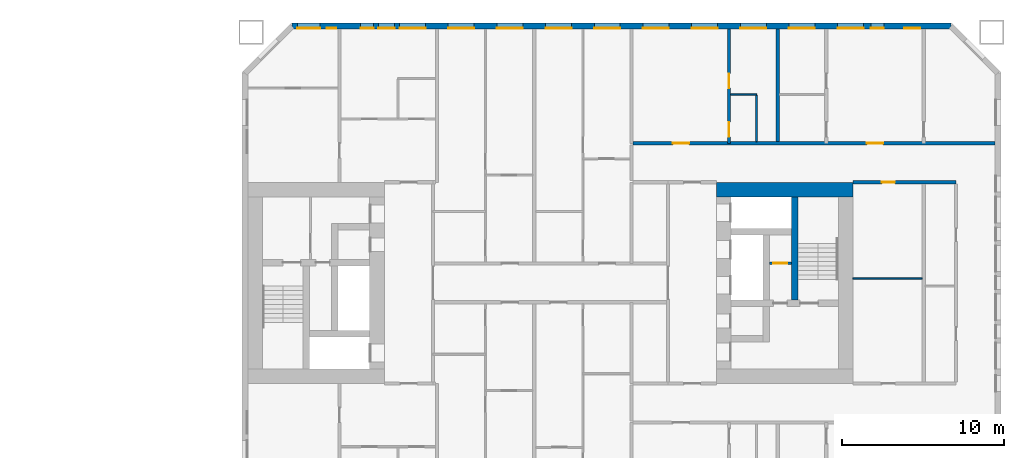
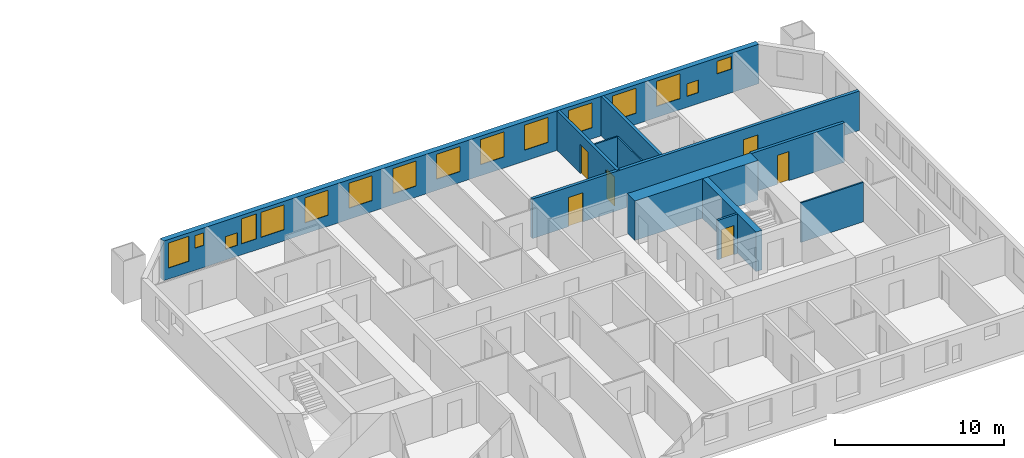
# One storey, part 14 of 17: 16 windows, 11 walls, 6 doors, 22 openings.
"""IFC4 building model written with IfcOpenShell, lengths in metres."""

from ifc_helpers import new_model, si_unit, direction, frame, frame_2d, origin, place, context, subcontext, project, spatial, rectangle, extrude, material, layer, layer_set, type_object, element, fill, save


model = new_model("IFC4")

# Units and contexts
model_context = context("Model", 3, precision=1e-05, world=origin(), true_north=direction((0.0, 1.0)))
body_context = subcontext(model_context, "Body", "Model", "MODEL_VIEW")
ifc_project = project(units=[si_unit("LENGTHUNIT", "METRE"), si_unit("AREAUNIT", "SQUARE_METRE"), si_unit("VOLUMEUNIT", "CUBIC_METRE"), si_unit("PLANEANGLEUNIT", "RADIAN"), si_unit("MASSUNIT", "GRAM", prefix="KILO")], contexts=[model_context])

# Site, building, storey
site_placement = place(None, origin())
site = spatial("IfcSite", under=ifc_project, at=site_placement, CompositionType="ELEMENT")
building_placement = place(site_placement, origin())
building = spatial("IfcBuilding", under=site, at=building_placement, Name="Tuart Gate Housing", CompositionType="ELEMENT")
storey_placement = place(building_placement, frame((0.0, 0.0, 22.60009765625)))
storey = spatial("IfcBuildingStorey", under=building, at=storey_placement, Name="L05", CompositionType="ELEMENT", Elevation=22.60009765625)

# Wall, openings, windows
ifc_material_1 = material(Name="Brick", Category="masonry")
ifc_layer_1 = layer(ifc_material_1, 0.360107421875)
ifc_layer_set_1 = layer_set([ifc_layer_1], Name="Brick pier and spandrel wall 360")
wall_type_1 = type_object("IfcWallType", Name="Brick pier and spandrel wall 360", PredefinedType="STANDARD", material=ifc_layer_set_1)
wall_1_placement = place(storey_placement, frame((174.67529296875, 85.820068359375, 0.0), z_axis=(0.0, 0.0, 1.0), x_axis=(-1.0, 0.0, 0.0)))
wall_1 = element("IfcWall", 1, at=wall_1_placement, inside=storey, type_object=wall_type_1, Name="External wall B-N L05", PredefinedType="STANDARD", context=body_context, shape_type="SweptSolid", body=[
    extrude(rectangle(XDim=40.600830078125, YDim=0.360107421875, at=frame_2d((20.30029296875, 0.0))), origin(), (0.0, 0.0, 1.0), 2.849853515625),
])
opening_1_placement = place(wall_1_placement, frame((1.87548828125, 0.0, 1.699951171875)))
opening_1 = element("IfcOpeningElement", 2, at=opening_1_placement, cuts=wall_1, Name="Opening W1U", PredefinedType="OPENING", context=body_context, shape_type="SweptSolid", body=[
    extrude(rectangle(XDim=1.0, YDim=0.89990234375, at=frame_2d((0.5, 0.449951171875))), frame((0.0, 0.18994140625, 0.0), z_axis=(0.0, -1.0, 0.0), x_axis=(1.0, 0.0, 0.0)), (0.0, 0.0, 1.0), 0.380126953125),
])
opening_2_placement = place(wall_1_placement, frame((5.37548828125, 0.0, 0.800048828125)))
opening_2 = element("IfcOpeningElement", 3, at=opening_2_placement, cuts=wall_1, Name="Opening W1", PredefinedType="OPENING", context=body_context, shape_type="SweptSolid", body=[
    extrude(rectangle(XDim=1.60009765625, YDim=1.800048828125, at=frame_2d((0.800048828125, 0.89990234375))), frame((0.0, 0.18994140625, 0.0), z_axis=(0.0, -1.0, 0.0), x_axis=(1.0, 0.0, 0.0)), (0.0, 0.0, 1.0), 0.380126953125),
])
opening_3_placement = place(wall_1_placement, frame((8.37548828125, 0.0, 0.800048828125)))
opening_3 = element("IfcOpeningElement", 4, at=opening_3_placement, cuts=wall_1, Name="Opening W1", PredefinedType="OPENING", context=body_context, shape_type="SweptSolid", body=[
    extrude(rectangle(XDim=1.60009765625, YDim=1.800048828125, at=frame_2d((0.800048828125, 0.89990234375))), frame((0.0, 0.18994140625, 0.0), z_axis=(0.0, -1.0, 0.0), x_axis=(1.0, 0.0, 0.0)), (0.0, 0.0, 1.0), 0.380126953125),
])
opening_4_placement = place(wall_1_placement, frame((11.37548828125, 0.0, 0.800048828125)))
opening_4 = element("IfcOpeningElement", 5, at=opening_4_placement, cuts=wall_1, Name="Opening W1", PredefinedType="OPENING", context=body_context, shape_type="SweptSolid", body=[
    extrude(rectangle(XDim=1.60009765625, YDim=1.800048828125, at=frame_2d((0.800048828125, 0.89990234375))), frame((0.0, 0.18994140625, 0.0), z_axis=(0.0, -1.0, 0.0), x_axis=(1.0, 0.0, 0.0)), (0.0, 0.0, 1.0), 0.380126953125),
])
opening_5_placement = place(wall_1_placement, frame((14.37548828125, 0.0, 0.800048828125)))
opening_5 = element("IfcOpeningElement", 6, at=opening_5_placement, cuts=wall_1, Name="Opening W1", PredefinedType="OPENING", context=body_context, shape_type="SweptSolid", body=[
    extrude(rectangle(XDim=1.60009765625, YDim=1.800048828125, at=frame_2d((0.800048828125, 0.89990234375))), frame((0.0, 0.18994140625, 0.0), z_axis=(0.0, -1.0, 0.0), x_axis=(1.0, 0.0, 0.0)), (0.0, 0.0, 1.0), 0.380126953125),
])
opening_6_placement = place(wall_1_placement, frame((17.37548828125, 0.0, 0.800048828125)))
opening_6 = element("IfcOpeningElement", 7, at=opening_6_placement, cuts=wall_1, Name="Opening W1", PredefinedType="OPENING", context=body_context, shape_type="SweptSolid", body=[
    extrude(rectangle(XDim=1.60009765625, YDim=1.800048828125, at=frame_2d((0.800048828125, 0.89990234375))), frame((0.0, 0.18994140625, 0.0), z_axis=(0.0, -1.0, 0.0), x_axis=(1.0, 0.0, 0.0)), (0.0, 0.0, 1.0), 0.380126953125),
])
opening_7_placement = place(wall_1_placement, frame((20.37548828125, 0.0, 0.800048828125)))
opening_7 = element("IfcOpeningElement", 8, at=opening_7_placement, cuts=wall_1, Name="Opening W1", PredefinedType="OPENING", context=body_context, shape_type="SweptSolid", body=[
    extrude(rectangle(XDim=1.60009765625, YDim=1.800048828125, at=frame_2d((0.800048828125, 0.89990234375))), frame((0.0, 0.18994140625, 0.0), z_axis=(0.0, -1.0, 0.0), x_axis=(1.0, 0.0, 0.0)), (0.0, 0.0, 1.0), 0.380126953125),
])
opening_8_placement = place(wall_1_placement, frame((23.37548828125, 0.0, 0.800048828125)))
opening_8 = element("IfcOpeningElement", 9, at=opening_8_placement, cuts=wall_1, Name="Opening W1", PredefinedType="OPENING", context=body_context, shape_type="SweptSolid", body=[
    extrude(rectangle(XDim=1.60009765625, YDim=1.800048828125, at=frame_2d((0.800048828125, 0.89990234375))), frame((0.0, 0.18994140625, 0.0), z_axis=(0.0, -1.0, 0.0), x_axis=(1.0, 0.0, 0.0)), (0.0, 0.0, 1.0), 0.380126953125),
])
opening_9_placement = place(wall_1_placement, frame((26.37548828125, 0.0, 0.800048828125)))
opening_9 = element("IfcOpeningElement", 10, at=opening_9_placement, cuts=wall_1, Name="Opening W1", PredefinedType="OPENING", context=body_context, shape_type="SweptSolid", body=[
    extrude(rectangle(XDim=1.60009765625, YDim=1.800048828125, at=frame_2d((0.800048828125, 0.89990234375))), frame((0.0, 0.18994140625, 0.0), z_axis=(0.0, -1.0, 0.0), x_axis=(1.0, 0.0, 0.0)), (0.0, 0.0, 1.0), 0.380126953125),
])
opening_10_placement = place(wall_1_placement, frame((29.37548828125, 0.0, 0.800048828125)))
opening_10 = element("IfcOpeningElement", 11, at=opening_10_placement, cuts=wall_1, Name="Opening W1", PredefinedType="OPENING", context=body_context, shape_type="SweptSolid", body=[
    extrude(rectangle(XDim=1.60009765625, YDim=1.800048828125, at=frame_2d((0.800048828125, 0.89990234375))), frame((0.0, 0.18994140625, 0.0), z_axis=(0.0, -1.0, 0.0), x_axis=(1.0, 0.0, 0.0)), (0.0, 0.0, 1.0), 0.380126953125),
])
opening_11_placement = place(wall_1_placement, frame((32.37548828125, 0.0, 0.800048828125)))
opening_11 = element("IfcOpeningElement", 12, at=opening_11_placement, cuts=wall_1, Name="Opening W1", PredefinedType="OPENING", context=body_context, shape_type="SweptSolid", body=[
    extrude(rectangle(XDim=1.60009765625, YDim=1.800048828125, at=frame_2d((0.800048828125, 0.89990234375))), frame((0.0, 0.18994140625, 0.0), z_axis=(0.0, -1.0, 0.0), x_axis=(1.0, 0.0, 0.0)), (0.0, 0.0, 1.0), 0.380126953125),
])
opening_12_placement = place(wall_1_placement, frame((34.275390625, 0.0, 0.800048828125)))
opening_12 = element("IfcOpeningElement", 13, at=opening_12_placement, cuts=wall_1, Name="Opening W1C", PredefinedType="OPENING", context=body_context, shape_type="SweptSolid", body=[
    extrude(rectangle(XDim=1.0, YDim=1.800048828125, at=frame_2d((0.5, 0.89990234375))), frame((0.0, 0.18994140625, 0.0), z_axis=(0.0, -1.0, 0.0), x_axis=(1.0, 0.0, 0.0)), (0.0, 0.0, 1.0), 0.380126953125),
])
opening_13_placement = place(wall_1_placement, frame((37.87548828125, 0.0, 1.60009765625)))
opening_13 = element("IfcOpeningElement", 14, at=opening_13_placement, cuts=wall_1, Name="Opening W1W", PredefinedType="OPENING", context=body_context, shape_type="SweptSolid", body=[
    extrude(rectangle(XDim=0.60009765625, YDim=0.89990234375, at=frame_2d((0.300048828125, 0.449951171875))), frame((0.0, 0.18994140625, 0.0), z_axis=(0.0, -1.0, 0.0), x_axis=(1.0, 0.0, 0.0)), (0.0, 0.0, 1.0), 0.380126953125),
])
opening_14_placement = place(wall_1_placement, frame((4.12548828125, 0.0, 0.800048828125)))
opening_14 = element("IfcOpeningElement", 15, at=opening_14_placement, cuts=wall_1, Name="Opening W1V", PredefinedType="OPENING", context=body_context, shape_type="SweptSolid", body=[
    extrude(rectangle(XDim=0.800048828125, YDim=0.89990234375, at=frame_2d((0.39990234375, 0.449951171875))), frame((0.0, 0.18994140625, 0.0), z_axis=(0.0, -1.0, 0.0), x_axis=(1.0, 0.0, 0.0)), (0.0, 0.0, 1.0), 0.380126953125),
])
opening_15_placement = place(wall_1_placement, frame((35.575439453125, 0.0, 0.800048828125)))
opening_15 = element("IfcOpeningElement", 16, at=opening_15_placement, cuts=wall_1, Name="Opening W1V", PredefinedType="OPENING", context=body_context, shape_type="SweptSolid", body=[
    extrude(rectangle(XDim=0.800048828125, YDim=0.89990234375, at=frame_2d((0.39990234375, 0.449951171875))), frame((0.0, 0.18994140625, 0.0), z_axis=(0.0, -1.0, 0.0), x_axis=(1.0, 0.0, 0.0)), (0.0, 0.0, 1.0), 0.380126953125),
])
opening_16_placement = place(wall_1_placement, frame((38.87548828125, 0.0, 0.800048828125)))
opening_16 = element("IfcOpeningElement", 17, at=opening_16_placement, cuts=wall_1, Name="Opening W1A", PredefinedType="OPENING", context=body_context, shape_type="SweptSolid", body=[
    extrude(rectangle(XDim=1.39990234375, YDim=1.800048828125, at=frame_2d((0.699951171875, 0.89990234375))), frame((0.0, 0.18994140625, 0.0), z_axis=(0.0, -1.0, 0.0), x_axis=(1.0, 0.0, 0.0)), (0.0, 0.0, 1.0), 0.380126953125),
])
ifc_material_2 = material(Name="Aluminium frame with clear glass", Category="aluminium")
window_type_1 = type_object("IfcWindowType", Name="Punched window 1000 x 1800", PartitioningType="SINGLE_PANEL", PredefinedType="WINDOW", material=ifc_material_2)
window_1_placement = place(opening_12_placement, origin())
window_1 = element("IfcWindow", 18, at=window_1_placement, inside=storey, type_object=window_type_1, Name="Window W1C", OverallHeight=1.800048828125, OverallWidth=1.0, PartitioningType="SINGLE_PANEL", PredefinedType="WINDOW", context=body_context, shape_type="SweptSolid", body=[
    extrude(rectangle(XDim=1.0, YDim=1.800048828125, at=frame_2d((0.5, 0.89990234375))), frame((0.0, 0.150146484375, 0.0), z_axis=(0.0, -1.0, 0.0), x_axis=(1.0, 0.0, 0.0)), (0.0, 0.0, 1.0), 0.06005859375),
])
fill(opening_12, window_1)
ifc_material_3 = material(Name="Aluminium frame with clear glass", Category="aluminium")
window_type_2 = type_object("IfcWindowType", Name="Punched window 1000 x 900", PartitioningType="SINGLE_PANEL", PredefinedType="WINDOW", material=ifc_material_3)
window_2_placement = place(opening_1_placement, origin())
window_2 = element("IfcWindow", 19, at=window_2_placement, inside=storey, type_object=window_type_2, Name="Window W1U", OverallHeight=0.89990234375, OverallWidth=1.0, PartitioningType="SINGLE_PANEL", PredefinedType="WINDOW", context=body_context, shape_type="SweptSolid", body=[
    extrude(rectangle(XDim=1.0, YDim=0.89990234375, at=frame_2d((0.5, 0.449951171875))), frame((0.0, 0.150146484375, 0.0), z_axis=(0.0, -1.0, 0.0), x_axis=(1.0, 0.0, 0.0)), (0.0, 0.0, 1.0), 0.06005859375),
])
fill(opening_1, window_2)
ifc_material_4 = material(Name="Aluminium frame with clear glass", Category="aluminium")
window_type_3 = type_object("IfcWindowType", Name="Punched window 1400 x 1800", PartitioningType="SINGLE_PANEL", PredefinedType="WINDOW", material=ifc_material_4)
window_3_placement = place(opening_16_placement, origin())
window_3 = element("IfcWindow", 20, at=window_3_placement, inside=storey, type_object=window_type_3, Name="Window W1A", OverallHeight=1.800048828125, OverallWidth=1.39990234375, PartitioningType="SINGLE_PANEL", PredefinedType="WINDOW", context=body_context, shape_type="SweptSolid", body=[
    extrude(rectangle(XDim=1.39990234375, YDim=1.800048828125, at=frame_2d((0.699951171875, 0.89990234375))), frame((0.0, 0.150146484375, 0.0), z_axis=(0.0, -1.0, 0.0), x_axis=(1.0, 0.0, 0.0)), (0.0, 0.0, 1.0), 0.06005859375),
])
fill(opening_16, window_3)
ifc_material_5 = material(Name="Aluminium frame with clear glass", Category="aluminium")
window_type_4 = type_object("IfcWindowType", Name="Punched window 1600 x 1800", PartitioningType="SINGLE_PANEL", PredefinedType="WINDOW", material=ifc_material_5)
window_4_placement = place(opening_2_placement, origin())
window_4 = element("IfcWindow", 21, at=window_4_placement, inside=storey, type_object=window_type_4, Name="Window W1", OverallHeight=1.800048828125, OverallWidth=1.60009765625, PartitioningType="SINGLE_PANEL", PredefinedType="WINDOW", context=body_context, shape_type="SweptSolid", body=[
    extrude(rectangle(XDim=1.60009765625, YDim=1.800048828125, at=frame_2d((0.800048828125, 0.89990234375))), frame((0.0, 0.150146484375, 0.0), z_axis=(0.0, -1.0, 0.0), x_axis=(1.0, 0.0, 0.0)), (0.0, 0.0, 1.0), 0.06005859375),
])
fill(opening_2, window_4)
window_5_placement = place(opening_3_placement, origin())
window_5 = element("IfcWindow", 22, at=window_5_placement, inside=storey, type_object=window_type_4, Name="Window W1", OverallHeight=1.800048828125, OverallWidth=1.60009765625, PartitioningType="SINGLE_PANEL", PredefinedType="WINDOW", context=body_context, shape_type="SweptSolid", body=[
    extrude(rectangle(XDim=1.60009765625, YDim=1.800048828125, at=frame_2d((0.800048828125, 0.89990234375))), frame((0.0, 0.150146484375, 0.0), z_axis=(0.0, -1.0, 0.0), x_axis=(1.0, 0.0, 0.0)), (0.0, 0.0, 1.0), 0.06005859375),
])
fill(opening_3, window_5)
window_6_placement = place(opening_4_placement, origin())
window_6 = element("IfcWindow", 23, at=window_6_placement, inside=storey, type_object=window_type_4, Name="Window W1", OverallHeight=1.800048828125, OverallWidth=1.60009765625, PartitioningType="SINGLE_PANEL", PredefinedType="WINDOW", context=body_context, shape_type="SweptSolid", body=[
    extrude(rectangle(XDim=1.60009765625, YDim=1.800048828125, at=frame_2d((0.800048828125, 0.89990234375))), frame((0.0, 0.150146484375, 0.0), z_axis=(0.0, -1.0, 0.0), x_axis=(1.0, 0.0, 0.0)), (0.0, 0.0, 1.0), 0.06005859375),
])
fill(opening_4, window_6)
window_7_placement = place(opening_5_placement, origin())
window_7 = element("IfcWindow", 24, at=window_7_placement, inside=storey, type_object=window_type_4, Name="Window W1", OverallHeight=1.800048828125, OverallWidth=1.60009765625, PartitioningType="SINGLE_PANEL", PredefinedType="WINDOW", context=body_context, shape_type="SweptSolid", body=[
    extrude(rectangle(XDim=1.60009765625, YDim=1.800048828125, at=frame_2d((0.800048828125, 0.89990234375))), frame((0.0, 0.150146484375, 0.0), z_axis=(0.0, -1.0, 0.0), x_axis=(1.0, 0.0, 0.0)), (0.0, 0.0, 1.0), 0.06005859375),
])
fill(opening_5, window_7)
window_8_placement = place(opening_6_placement, origin())
window_8 = element("IfcWindow", 25, at=window_8_placement, inside=storey, type_object=window_type_4, Name="Window W1", OverallHeight=1.800048828125, OverallWidth=1.60009765625, PartitioningType="SINGLE_PANEL", PredefinedType="WINDOW", context=body_context, shape_type="SweptSolid", body=[
    extrude(rectangle(XDim=1.60009765625, YDim=1.800048828125, at=frame_2d((0.800048828125, 0.89990234375))), frame((0.0, 0.150146484375, 0.0), z_axis=(0.0, -1.0, 0.0), x_axis=(1.0, 0.0, 0.0)), (0.0, 0.0, 1.0), 0.06005859375),
])
fill(opening_6, window_8)
window_9_placement = place(opening_7_placement, origin())
window_9 = element("IfcWindow", 26, at=window_9_placement, inside=storey, type_object=window_type_4, Name="Window W1", OverallHeight=1.800048828125, OverallWidth=1.60009765625, PartitioningType="SINGLE_PANEL", PredefinedType="WINDOW", context=body_context, shape_type="SweptSolid", body=[
    extrude(rectangle(XDim=1.60009765625, YDim=1.800048828125, at=frame_2d((0.800048828125, 0.89990234375))), frame((0.0, 0.150146484375, 0.0), z_axis=(0.0, -1.0, 0.0), x_axis=(1.0, 0.0, 0.0)), (0.0, 0.0, 1.0), 0.06005859375),
])
fill(opening_7, window_9)
window_10_placement = place(opening_8_placement, origin())
window_10 = element("IfcWindow", 27, at=window_10_placement, inside=storey, type_object=window_type_4, Name="Window W1", OverallHeight=1.800048828125, OverallWidth=1.60009765625, PartitioningType="SINGLE_PANEL", PredefinedType="WINDOW", context=body_context, shape_type="SweptSolid", body=[
    extrude(rectangle(XDim=1.60009765625, YDim=1.800048828125, at=frame_2d((0.800048828125, 0.89990234375))), frame((0.0, 0.150146484375, 0.0), z_axis=(0.0, -1.0, 0.0), x_axis=(1.0, 0.0, 0.0)), (0.0, 0.0, 1.0), 0.06005859375),
])
fill(opening_8, window_10)
window_11_placement = place(opening_9_placement, origin())
window_11 = element("IfcWindow", 28, at=window_11_placement, inside=storey, type_object=window_type_4, Name="Window W1", OverallHeight=1.800048828125, OverallWidth=1.60009765625, PartitioningType="SINGLE_PANEL", PredefinedType="WINDOW", context=body_context, shape_type="SweptSolid", body=[
    extrude(rectangle(XDim=1.60009765625, YDim=1.800048828125, at=frame_2d((0.800048828125, 0.89990234375))), frame((0.0, 0.150146484375, 0.0), z_axis=(0.0, -1.0, 0.0), x_axis=(1.0, 0.0, 0.0)), (0.0, 0.0, 1.0), 0.06005859375),
])
fill(opening_9, window_11)
window_12_placement = place(opening_10_placement, origin())
window_12 = element("IfcWindow", 29, at=window_12_placement, inside=storey, type_object=window_type_4, Name="Window W1", OverallHeight=1.800048828125, OverallWidth=1.60009765625, PartitioningType="SINGLE_PANEL", PredefinedType="WINDOW", context=body_context, shape_type="SweptSolid", body=[
    extrude(rectangle(XDim=1.60009765625, YDim=1.800048828125, at=frame_2d((0.800048828125, 0.89990234375))), frame((0.0, 0.150146484375, 0.0), z_axis=(0.0, -1.0, 0.0), x_axis=(1.0, 0.0, 0.0)), (0.0, 0.0, 1.0), 0.06005859375),
])
fill(opening_10, window_12)
window_13_placement = place(opening_11_placement, origin())
window_13 = element("IfcWindow", 30, at=window_13_placement, inside=storey, type_object=window_type_4, Name="Window W1", OverallHeight=1.800048828125, OverallWidth=1.60009765625, PartitioningType="SINGLE_PANEL", PredefinedType="WINDOW", context=body_context, shape_type="SweptSolid", body=[
    extrude(rectangle(XDim=1.60009765625, YDim=1.800048828125, at=frame_2d((0.800048828125, 0.89990234375))), frame((0.0, 0.150146484375, 0.0), z_axis=(0.0, -1.0, 0.0), x_axis=(1.0, 0.0, 0.0)), (0.0, 0.0, 1.0), 0.06005859375),
])
fill(opening_11, window_13)
ifc_material_6 = material(Name="Aluminium frame with clear glass", Category="aluminium")
window_type_5 = type_object("IfcWindowType", Name="Punched window 600 x 900", PartitioningType="SINGLE_PANEL", PredefinedType="WINDOW", material=ifc_material_6)
window_14_placement = place(opening_13_placement, origin())
window_14 = element("IfcWindow", 31, at=window_14_placement, inside=storey, type_object=window_type_5, Name="Window W1W", OverallHeight=0.89990234375, OverallWidth=0.60009765625, PartitioningType="SINGLE_PANEL", PredefinedType="WINDOW", context=body_context, shape_type="SweptSolid", body=[
    extrude(rectangle(XDim=0.60009765625, YDim=0.89990234375, at=frame_2d((0.300048828125, 0.449951171875))), frame((0.0, 0.150146484375, 0.0), z_axis=(0.0, -1.0, 0.0), x_axis=(1.0, 0.0, 0.0)), (0.0, 0.0, 1.0), 0.06005859375),
])
fill(opening_13, window_14)
ifc_material_7 = material(Name="Aluminium frame with clear glass", Category="aluminium")
window_type_6 = type_object("IfcWindowType", Name="Punched window 800 x 900", PartitioningType="SINGLE_PANEL", PredefinedType="WINDOW", material=ifc_material_7)
window_15_placement = place(opening_14_placement, origin())
window_15 = element("IfcWindow", 32, at=window_15_placement, inside=storey, type_object=window_type_6, Name="Window W1V", OverallHeight=0.89990234375, OverallWidth=0.800048828125, PartitioningType="SINGLE_PANEL", PredefinedType="WINDOW", context=body_context, shape_type="SweptSolid", body=[
    extrude(rectangle(XDim=0.800048828125, YDim=0.89990234375, at=frame_2d((0.39990234375, 0.449951171875))), frame((0.0, 0.150146484375, 0.0), z_axis=(0.0, -1.0, 0.0), x_axis=(1.0, 0.0, 0.0)), (0.0, 0.0, 1.0), 0.06005859375),
])
fill(opening_14, window_15)
window_16_placement = place(opening_15_placement, origin())
window_16 = element("IfcWindow", 33, at=window_16_placement, inside=storey, type_object=window_type_6, Name="Window W1V", OverallHeight=0.89990234375, OverallWidth=0.800048828125, PartitioningType="SINGLE_PANEL", PredefinedType="WINDOW", context=body_context, shape_type="SweptSolid", body=[
    extrude(rectangle(XDim=0.800048828125, YDim=0.89990234375, at=frame_2d((0.39990234375, 0.449951171875))), frame((0.0, 0.150146484375, 0.0), z_axis=(0.0, -1.0, 0.0), x_axis=(1.0, 0.0, 0.0)), (0.0, 0.0, 1.0), 0.06005859375),
])
fill(opening_15, window_16)

# Wall, opening, door
ifc_material_8 = material(Name="Plasterboard partition")
ifc_layer_2 = layer(ifc_material_8, 0.14990234375)
ifc_layer_set_2 = layer_set([ifc_layer_2], Name="Core partition 150")
wall_type_2 = type_object("IfcWallType", Name="Core partition 150", PredefinedType="PARTITIONING", material=ifc_layer_set_2)
wall_2_placement = place(storey_placement, frame((163.489990234375, 71.199951171875, 0.0), z_axis=(0.0, 0.0, 1.0), x_axis=(1.0, 0.0, 0.0)))
wall_2 = element("IfcWall", 34, at=wall_2_placement, inside=storey, type_object=wall_type_2, Name="Core partition BK.2", PredefinedType="PARTITIONING", context=body_context, shape_type="SweptSolid", body=[
    extrude(rectangle(XDim=1.35009765625, YDim=0.14990234375, at=frame_2d((0.675048828125, 0.0))), origin(), (0.0, 0.0, 1.0), 2.849853515625),
])
opening_17_placement = place(wall_2_placement, frame((0.25, 0.0, 0.0)))
opening_17 = element("IfcOpeningElement", 35, at=opening_17_placement, cuts=wall_2, Name="Opening D434", PredefinedType="OPENING", context=body_context, shape_type="SweptSolid", body=[
    extrude(rectangle(XDim=0.85009765625, YDim=2.10009765625, at=frame_2d((0.425048828125, 1.050048828125))), frame((0.0, 0.0849609375, 0.0), z_axis=(0.0, -1.0, 0.0), x_axis=(1.0, 0.0, 0.0)), (0.0, 0.0, 1.0), 0.169921875),
])
ifc_material_9 = material(Name="Steel fire door", Category="steel")
door_type_1 = type_object("IfcDoorType", Name="Service door 850 x 2100 RH", OperationType="SINGLE_SWING_RIGHT", PredefinedType="DOOR", material=ifc_material_9)
door_1_placement = place(opening_17_placement, frame((0.85009765625, 0.0, 0.0), z_axis=(0.0, 0.0, 1.0), x_axis=(-1.0, 0.0, 0.0)))
door_1 = element("IfcDoor", 36, at=door_1_placement, inside=storey, type_object=door_type_1, Name="Service room door BK.W2", OperationType="SINGLE_SWING_RIGHT", OverallHeight=2.10009765625, OverallWidth=0.85009765625, PredefinedType="DOOR", context=body_context, shape_type="SweptSolid", body=[
    extrude(rectangle(XDim=0.85009765625, YDim=2.10009765625, at=frame_2d((0.425048828125, 1.050048828125))), frame((0.0, 0.025146484375, 0.0), z_axis=(0.0, -1.0, 0.0), x_axis=(1.0, 0.0, 0.0)), (0.0, 0.0, 1.0), 0.050048828125),
])
fill(opening_17, door_1)

# Walls
ifc_material_10 = material(Name="Concrete C60", Category="concrete")
ifc_layer_3 = layer(ifc_material_10, 0.39990234375)
ifc_layer_set_3 = layer_set([ifc_layer_3], Name="Core wall 400 C60")
wall_type_3 = type_object("IfcWallType", Name="Core wall 400 C60", PredefinedType="SHEAR", material=ifc_layer_set_3)
wall_3_placement = place(storey_placement, frame((165.0400390625, 75.300048828125, 0.0), z_axis=(0.0, 0.0, 1.0), x_axis=(0.0, -1.0, 0.0)))
element("IfcWall", 37, at=wall_3_placement, inside=storey, type_object=wall_type_3, Name="Core wall BK.7", PredefinedType="SHEAR", context=body_context, shape_type="SweptSolid", body=[
    extrude(rectangle(XDim=6.35009765625, YDim=0.39990234375, at=frame_2d((3.175048828125, 0.0))), origin(), (0.0, 0.0, 1.0), 2.849853515625),
])
ifc_material_11 = material(Name="Concrete C60", Category="concrete")
ifc_layer_4 = layer(ifc_material_11, 0.89990234375)
ifc_layer_set_4 = layer_set([ifc_layer_4], Name="Core wall 900 C60")
wall_type_4 = type_object("IfcWallType", Name="Core wall 900 C60", PredefinedType="SHEAR", material=ifc_layer_set_4)
wall_4_placement = place(storey_placement, frame((160.239990234375, 75.75, 0.0), z_axis=(0.0, 0.0, 1.0), x_axis=(1.0, 0.0, 0.0)))
element("IfcWall", 38, at=wall_4_placement, inside=storey, type_object=wall_type_4, Name="Core wall BK south", PredefinedType="SHEAR", context=body_context, shape_type="SweptSolid", body=[
    extrude(rectangle(XDim=8.39990234375, YDim=0.89990234375, at=frame_2d((4.199951171875, 0.0))), origin(), (0.0, 0.0, 1.0), 2.849853515625),
])

# Wall, opening, door
ifc_material_12 = material(Name="Concrete masonry 15 MPa", Category="masonry")
ifc_layer_5 = layer(ifc_material_12, 0.199951171875)
ifc_layer_set_5 = layer_set([ifc_layer_5], Name="Corridor wall masonry 200")
wall_type_5 = type_object("IfcWallType", Name="Corridor wall masonry 200", PredefinedType="PARTITIONING", material=ifc_layer_set_5)
wall_5_placement = place(storey_placement, frame((168.639892578125, 76.199951171875, 0.0), z_axis=(0.0, 0.0, 1.0), x_axis=(1.0, 0.0, 0.0)))
wall_5 = element("IfcWall", 39, at=wall_5_placement, inside=storey, type_object=wall_type_5, Name="Corridor wall masonry 200", PredefinedType="PARTITIONING", context=body_context, shape_type="SweptSolid", body=[
    extrude(rectangle(XDim=6.35009765625, YDim=0.199951171875, at=frame_2d((3.175048828125, 0.0))), origin(), (0.0, 0.0, 1.0), 2.849853515625),
])
opening_18_placement = place(wall_5_placement, frame((1.780029296875, 0.0, 0.0)))
opening_18 = element("IfcOpeningElement", 40, at=opening_18_placement, cuts=wall_5, Name="Opening D428", PredefinedType="OPENING", context=body_context, shape_type="SweptSolid", body=[
    extrude(rectangle(XDim=0.800048828125, YDim=2.10009765625, at=frame_2d((0.39990234375, 1.050048828125))), frame((0.0, 0.10986328125, 0.0), z_axis=(0.0, -1.0, 0.0), x_axis=(1.0, 0.0, 0.0)), (0.0, 0.0, 1.0), 0.219970703125),
])
ifc_material_13 = material(Name="Timber door leaf in steel frame", Category="steel")
door_type_2 = type_object("IfcDoorType", Name="Store door 800 RH", OperationType="SINGLE_SWING_RIGHT", PredefinedType="DOOR", material=ifc_material_13)
door_2_placement = place(opening_18_placement, frame((0.800048828125, 0.0, 0.0), z_axis=(0.0, 0.0, 1.0), x_axis=(-1.0, 0.0, 0.0)))
door_2 = element("IfcDoor", 41, at=door_2_placement, inside=storey, type_object=door_type_2, Name="Store door", OperationType="SINGLE_SWING_RIGHT", OverallHeight=2.10009765625, OverallWidth=0.800048828125, PredefinedType="DOOR", context=body_context, shape_type="SweptSolid", body=[
    extrude(rectangle(XDim=0.800048828125, YDim=2.10009765625, at=frame_2d((0.400146484375, 1.050048828125))), frame((0.0, 0.025146484375, 0.0), z_axis=(0.0, -1.0, 0.0), x_axis=(1.0, 0.0, 0.0)), (0.0, 0.0, 1.0), 0.050048828125),
])
fill(opening_18, door_2)

# Wall, openings, doors
wall_6_placement = place(storey_placement, frame((155.10009765625, 78.60009765625, 0.0), z_axis=(0.0, 0.0, 1.0), x_axis=(1.0, 0.0, 0.0)))
wall_6 = element("IfcWall", 42, at=wall_6_placement, inside=storey, type_object=wall_type_5, Name="Corridor wall masonry 200", PredefinedType="PARTITIONING", context=body_context, shape_type="SweptSolid", body=[
    extrude(rectangle(XDim=22.289794921875, YDim=0.199951171875, at=frame_2d((11.14501953125, 0.0))), origin(), (0.0, 0.0, 1.0), 2.849853515625),
])
opening_19_placement = place(wall_6_placement, frame((2.449951171875, 0.0, 0.0)))
opening_19 = element("IfcOpeningElement", 43, at=opening_19_placement, cuts=wall_6, Name="Opening D418", PredefinedType="OPENING", context=body_context, shape_type="SweptSolid", body=[
    extrude(rectangle(XDim=1.0, YDim=2.10009765625, at=frame_2d((0.5, 1.050048828125))), frame((0.0, 0.10986328125, 0.0), z_axis=(0.0, -1.0, 0.0), x_axis=(1.0, 0.0, 0.0)), (0.0, 0.0, 1.0), 0.219970703125),
])
opening_20_placement = place(wall_6_placement, frame((14.39990234375, 0.0, 0.0)))
opening_20 = element("IfcOpeningElement", 44, at=opening_20_placement, cuts=wall_6, Name="Opening D419", PredefinedType="OPENING", context=body_context, shape_type="SweptSolid", body=[
    extrude(rectangle(XDim=1.0, YDim=2.10009765625, at=frame_2d((0.5, 1.050048828125))), frame((0.0, 0.10986328125, 0.0), z_axis=(0.0, -1.0, 0.0), x_axis=(1.0, 0.0, 0.0)), (0.0, 0.0, 1.0), 0.219970703125),
])
ifc_material_14 = material(Name="Timber door leaf in steel frame", Category="steel")
door_type_3 = type_object("IfcDoorType", Name="Flat entrance door 1000", OperationType="SINGLE_SWING_LEFT", PredefinedType="DOOR", material=ifc_material_14)
door_3_placement = place(opening_20_placement, origin())
door_3 = element("IfcDoor", 45, at=door_3_placement, inside=storey, type_object=door_type_3, Name="Flat entrance door", OperationType="SINGLE_SWING_LEFT", OverallHeight=2.10009765625, OverallWidth=1.0, PredefinedType="DOOR", context=body_context, shape_type="SweptSolid", body=[
    extrude(rectangle(XDim=1.0, YDim=2.10009765625, at=frame_2d((0.5, 1.050048828125))), frame((0.0, 0.02490234375, 0.0), z_axis=(0.0, -1.0, 0.0), x_axis=(1.0, 0.0, 0.0)), (0.0, 0.0, 1.0), 0.050048828125),
])
fill(opening_20, door_3)
ifc_material_15 = material(Name="Timber door leaf in steel frame", Category="steel")
door_type_4 = type_object("IfcDoorType", Name="Flat entrance door 1000 RH", OperationType="SINGLE_SWING_RIGHT", PredefinedType="DOOR", material=ifc_material_15)
door_4_placement = place(opening_19_placement, origin())
door_4 = element("IfcDoor", 46, at=door_4_placement, inside=storey, type_object=door_type_4, Name="Flat entrance door", OperationType="SINGLE_SWING_RIGHT", OverallHeight=2.10009765625, OverallWidth=1.0, PredefinedType="DOOR", context=body_context, shape_type="SweptSolid", body=[
    extrude(rectangle(XDim=1.0, YDim=2.10009765625, at=frame_2d((0.5, 1.050048828125))), frame((0.0, 0.02490234375, 0.0), z_axis=(0.0, -1.0, 0.0), x_axis=(1.0, 0.0, 0.0)), (0.0, 0.0, 1.0), 0.050048828125),
])
fill(opening_19, door_4)

# Walls
ifc_material_16 = material(Name="Gypsum board on steel studs", Category="steel")
ifc_layer_6 = layer(ifc_material_16, 0.10009765625)
ifc_layer_set_6 = layer_set([ifc_layer_6], Name="Partition 100")
wall_type_6 = type_object("IfcWallType", Name="Partition 100", PredefinedType="PARTITIONING", material=ifc_layer_set_6)
wall_7_placement = place(storey_placement, frame((168.639892578125, 70.280029296875, 0.0), z_axis=(0.0, 0.0, 1.0), x_axis=(1.0, 0.0, 0.0)))
element("IfcWall", 47, at=wall_7_placement, inside=storey, type_object=wall_type_6, Name="Partition 100", PredefinedType="PARTITIONING", context=body_context, shape_type="SweptSolid", body=[
    extrude(rectangle(XDim=4.260009765625, YDim=0.10009765625, at=frame_2d((2.1298828125, 0.0))), origin(), (0.0, 0.0, 1.0), 2.849853515625),
])
wall_8_placement = place(storey_placement, frame((161.10009765625, 81.60009765625, 0.0), z_axis=(0.0, 0.0, 1.0), x_axis=(1.0, 0.0, 0.0)))
element("IfcWall", 48, at=wall_8_placement, inside=storey, type_object=wall_type_6, Name="Partition 100", PredefinedType="PARTITIONING", context=body_context, shape_type="SweptSolid", body=[
    extrude(rectangle(XDim=1.599853515625, YDim=0.10009765625, at=frame_2d((0.7998046875, 0.0))), origin(), (0.0, 0.0, 1.0), 2.849853515625),
])
wall_9_placement = place(storey_placement, frame((162.699951171875, 78.699951171875, 0.0), z_axis=(0.0, 0.0, 1.0), x_axis=(0.0, 1.0, 0.0)))
element("IfcWall", 49, at=wall_9_placement, inside=storey, type_object=wall_type_6, Name="Partition 100", PredefinedType="PARTITIONING", context=body_context, shape_type="SweptSolid", body=[
    extrude(rectangle(XDim=2.85009765625, YDim=0.10009765625, at=frame_2d((1.425048828125, 0.0))), origin(), (0.0, 0.0, 1.0), 2.849853515625),
])

# Wall, openings, doors
ifc_material_17 = material(Name="Concrete C40", Category="concrete")
ifc_layer_7 = layer(ifc_material_17, 0.199951171875)
ifc_layer_set_7 = layer_set([ifc_layer_7], Name="Party wall concrete C40 200")
wall_type_7 = type_object("IfcWallType", Name="Party wall concrete C40 200", PredefinedType="SOLIDWALL", material=ifc_layer_set_7)
wall_10_placement = place(storey_placement, frame((161.0, 78.60009765625, 0.0), z_axis=(0.0, 0.0, 1.0), x_axis=(0.0, 1.0, 0.0)))
wall_10 = element("IfcWall", 50, at=wall_10_placement, inside=storey, type_object=wall_type_7, Name="Party wall concrete C40 200", PredefinedType="SOLIDWALL", context=body_context, shape_type="SweptSolid", body=[
    extrude(rectangle(XDim=7.039794921875, YDim=0.199951171875, at=frame_2d((3.52001953125, 0.0))), origin(), (0.0, 0.0, 1.0), 2.849853515625),
])
opening_21_placement = place(wall_10_placement, frame((3.39990234375, 0.0, 0.0)))
opening_21 = element("IfcOpeningElement", 51, at=opening_21_placement, cuts=wall_10, Name="Opening D410", PredefinedType="OPENING", context=body_context, shape_type="SweptSolid", body=[
    extrude(rectangle(XDim=0.89990234375, YDim=2.10009765625, at=frame_2d((0.449951171875, 1.050048828125))), frame((0.0, 0.10986328125, 0.0), z_axis=(0.0, -1.0, 0.0), x_axis=(1.0, 0.0, 0.0)), (0.0, 0.0, 1.0), 0.219970703125),
])
opening_22_placement = place(wall_10_placement, frame((0.39990234375, 0.0, 0.0)))
opening_22 = element("IfcOpeningElement", 52, at=opening_22_placement, cuts=wall_10, Name="Opening D409", PredefinedType="OPENING", context=body_context, shape_type="SweptSolid", body=[
    extrude(rectangle(XDim=0.89990234375, YDim=2.10009765625, at=frame_2d((0.449951171875, 1.050048828125))), frame((0.0, 0.10986328125, 0.0), z_axis=(0.0, -1.0, 0.0), x_axis=(1.0, 0.0, 0.0)), (0.0, 0.0, 1.0), 0.219970703125),
])
ifc_material_18 = material(Name="Timber door leaf in steel frame", Category="steel")
door_type_5 = type_object("IfcDoorType", Name="Bathroom door 900 RH", OperationType="SINGLE_SWING_RIGHT", PredefinedType="DOOR", material=ifc_material_18)
door_5_placement = place(opening_22_placement, frame((0.89990234375, 0.0, 0.0), z_axis=(0.0, 0.0, 1.0), x_axis=(-1.0, 0.0, 0.0)))
door_5 = element("IfcDoor", 53, at=door_5_placement, inside=storey, type_object=door_type_5, Name="Bathroom door", OperationType="SINGLE_SWING_RIGHT", OverallHeight=2.10009765625, OverallWidth=0.89990234375, PredefinedType="DOOR", context=body_context, shape_type="SweptSolid", body=[
    extrude(rectangle(XDim=0.89990234375, YDim=2.10009765625, at=frame_2d((0.449951171875, 1.050048828125))), frame((0.0, 0.025146484375, 0.0), z_axis=(0.0, -1.0, 0.0), x_axis=(1.0, 0.0, 0.0)), (0.0, 0.0, 1.0), 0.050048828125),
])
fill(opening_22, door_5)
ifc_material_19 = material(Name="Timber door leaf in steel frame", Category="steel")
door_type_6 = type_object("IfcDoorType", Name="Internal door 900 RH", OperationType="SINGLE_SWING_RIGHT", PredefinedType="DOOR", material=ifc_material_19)
door_6_placement = place(opening_21_placement, frame((0.89990234375, 0.0, 0.0), z_axis=(0.0, 0.0, 1.0), x_axis=(-1.0, 0.0, 0.0)))
door_6 = element("IfcDoor", 54, at=door_6_placement, inside=storey, type_object=door_type_6, Name="Internal door", OperationType="SINGLE_SWING_RIGHT", OverallHeight=2.10009765625, OverallWidth=0.89990234375, PredefinedType="DOOR", context=body_context, shape_type="SweptSolid", body=[
    extrude(rectangle(XDim=0.89990234375, YDim=2.10009765625, at=frame_2d((0.449951171875, 1.050048828125))), frame((0.0, 0.025146484375, 0.0), z_axis=(0.0, -1.0, 0.0), x_axis=(1.0, 0.0, 0.0)), (0.0, 0.0, 1.0), 0.050048828125),
])
fill(opening_21, door_6)

# Wall
ifc_material_20 = material(Name="Concrete masonry 15 MPa", Category="masonry")
ifc_layer_8 = layer(ifc_material_20, 0.199951171875)
ifc_layer_set_8 = layer_set([ifc_layer_8], Name="Party wall masonry 200")
wall_type_8 = type_object("IfcWallType", Name="Party wall masonry 200", PredefinedType="PARTITIONING", material=ifc_layer_set_8)
wall_11_placement = place(storey_placement, frame((164.0, 78.699951171875, 0.0), z_axis=(0.0, 0.0, 1.0), x_axis=(0.0, 1.0, 0.0)))
element("IfcWall", 55, at=wall_11_placement, inside=storey, type_object=wall_type_8, Name="Party wall masonry 200", PredefinedType="PARTITIONING", context=body_context, shape_type="SweptSolid", body=[
    extrude(rectangle(XDim=6.93994140625, YDim=0.199951171875, at=frame_2d((3.469970703125, 0.0))), origin(), (0.0, 0.0, 1.0), 2.849853515625),
])

save(model, "model.ifc")
